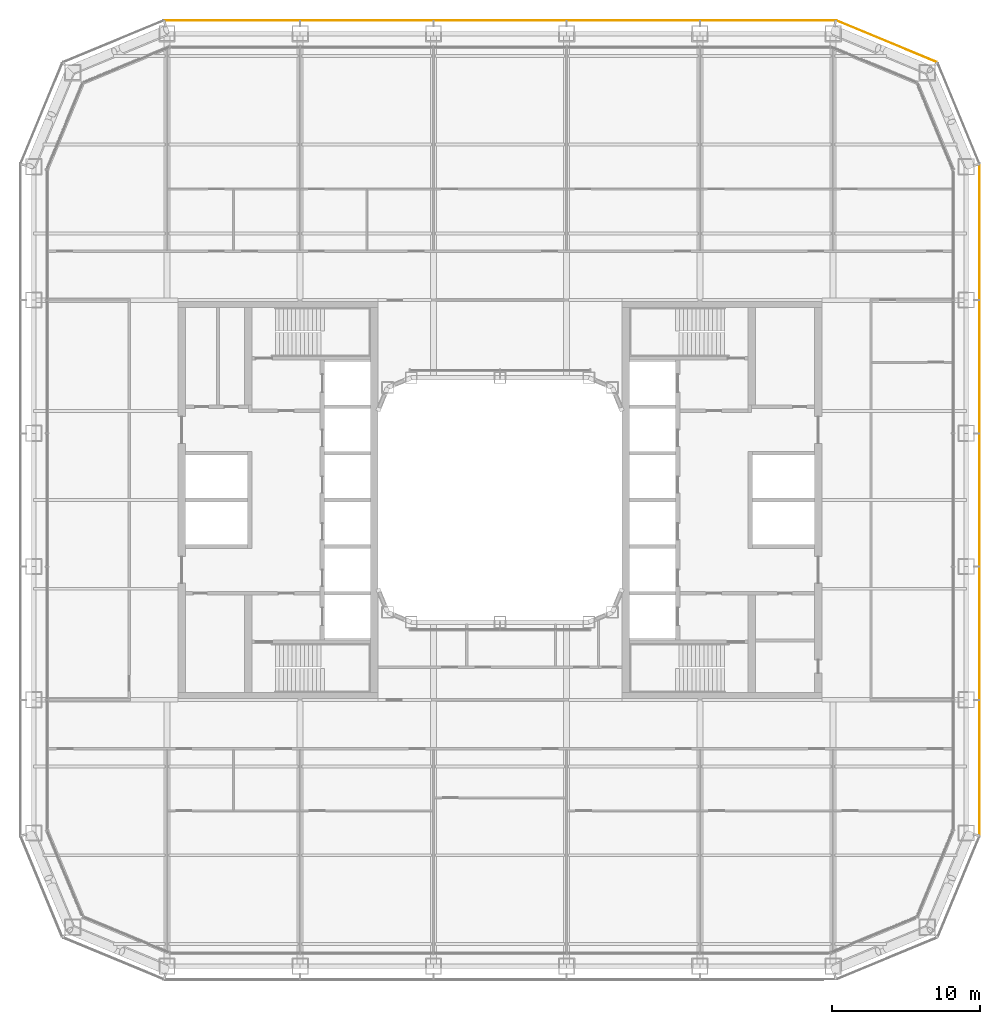
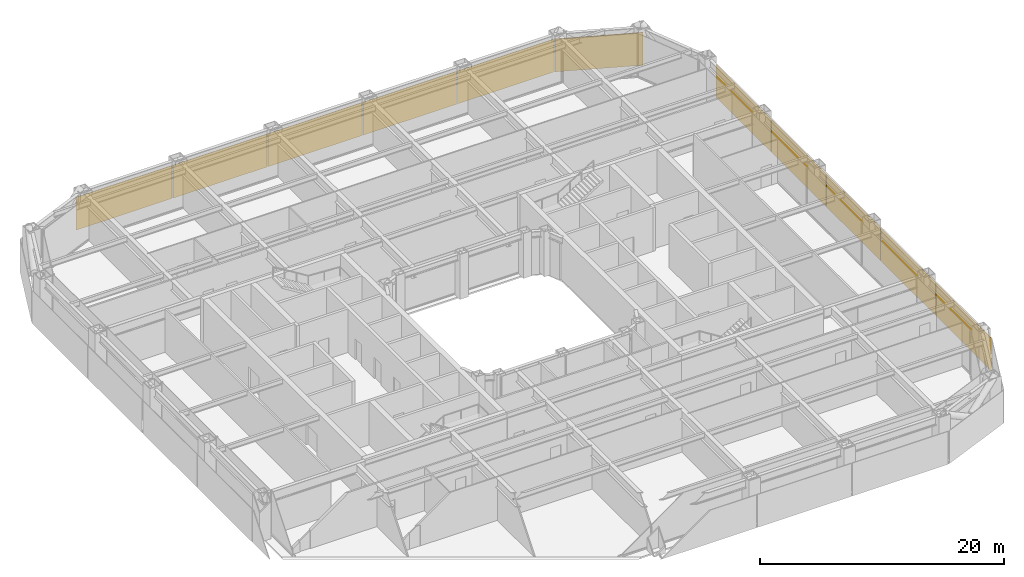
# One storey, part 24 of 24: 11 coverings.
"""IFC4 building model written with IfcOpenShell, lengths in metres."""

from ifc_helpers import new_model, si_unit, direction, frame, origin, origin_2d, place, context, subcontext, project, spatial, rectangle, extrude, material, layer, layer_set, type_object, element, save


model = new_model("IFC4")

# Units and contexts
model_context = context("Model", 3, precision=1e-05, world=origin(), true_north=direction((0.0, 1.0)))
body_context = subcontext(model_context, "Body", "Model", "MODEL_VIEW")
ifc_project = project(units=[si_unit("LENGTHUNIT", "METRE"), si_unit("AREAUNIT", "SQUARE_METRE"), si_unit("VOLUMEUNIT", "CUBIC_METRE"), si_unit("PLANEANGLEUNIT", "RADIAN"), si_unit("MASSUNIT", "GRAM", prefix="KILO")], contexts=[model_context])

# Site, building, storey
site_placement = place(None, origin())
site = spatial("IfcSite", under=ifc_project, at=site_placement, CompositionType="ELEMENT")
building_placement = place(site_placement, origin())
building = spatial("IfcBuilding", under=site, at=building_placement, Name="Siwar Civic Tower", CompositionType="ELEMENT")
storey_placement = place(building_placement, frame((0.0, 0.0, 40.199951171875)))
storey = spatial("IfcBuildingStorey", under=building, at=storey_placement, Name="L08", CompositionType="ELEMENT", Elevation=40.199951171875)

# Coverings
ifc_material = material(Name="Perforated aluminium cassette, pale metal", Category="aluminium")
ifc_layer = layer(ifc_material, 0.0400390625)
ifc_layer_set = layer_set([ifc_layer], Name="Perforated aluminium cassette, pale metal")
covering_type = type_object("IfcCoveringType", Name="ENV-OUTER SKIN OS-1", PredefinedType="CLADDING", material=ifc_layer_set)
covering_1_placement = place(storey_placement, frame((32.39990234375, -18.07958984375, -0.14990234375), z_axis=(0.0, 0.0, 1.0), x_axis=(0.0, 1.0, 0.0)))
element("IfcCovering", 1, at=covering_1_placement, inside=storey, type_object=covering_type, Name="OUTER SKIN OS-1 E 1", PredefinedType="CLADDING", context=body_context, shape_type="SweptSolid", body=[
    extrude(rectangle(XDim=9.05908203125, YDim=0.0400390625, at=origin_2d()), origin(), (0.0, 0.0, 1.0), 3.300048828125),
])
for number, where, z_axis, x_axis, name in (
    (2, (32.39990234375, -9.0, -0.14990234375), (0.0, 0.0, 1.0), (0.0, 1.0, 0.0), "OUTER SKIN OS-1 E 2"),
    (3, (32.39990234375, 0.0, -0.14990234375), (0.0, 0.0, 1.0), (0.0, 1.0, 0.0), "OUTER SKIN OS-1 E 3"),
    (4, (32.39990234375, 9.0, -0.14990234375), (0.0, 0.0, 1.0), (0.0, 1.0, 0.0), "OUTER SKIN OS-1 E 4"),
):
    element("IfcCovering", number, at=place(storey_placement, frame(where, z_axis=z_axis, x_axis=x_axis)), inside=storey, type_object=covering_type, Name=name, PredefinedType="CLADDING", context=body_context, shape_type="SweptSolid", body=[
        extrude(rectangle(XDim=8.89990234375, YDim=0.0400390625, at=origin_2d()), origin(), (0.0, 0.0, 1.0), 3.300048828125),
    ])
covering_2_placement = place(storey_placement, frame((32.39990234375, 18.07958984375, -0.14990234375), z_axis=(0.0, 0.0, 1.0), x_axis=(0.0, 1.0, 0.0)))
element("IfcCovering", 5, at=covering_2_placement, inside=storey, type_object=covering_type, Name="OUTER SKIN OS-1 E 5", PredefinedType="CLADDING", context=body_context, shape_type="SweptSolid", body=[
    extrude(rectangle(XDim=9.05908203125, YDim=0.0400390625, at=origin_2d()), origin(), (0.0, 0.0, 1.0), 3.300048828125),
])
covering_3_placement = place(storey_placement, frame((26.115966796875, 30.976318359375, -0.14990234375), z_axis=(0.0, 0.0, 1.0), x_axis=(-0.923879532511, 0.382683432365, 0.0)))
element("IfcCovering", 6, at=covering_3_placement, inside=storey, type_object=covering_type, Name="OUTER SKIN OS-1 NE2 1", PredefinedType="CLADDING", context=body_context, shape_type="SweptSolid", body=[
    extrude(rectangle(XDim=7.300048828125, YDim=0.0400390625, at=origin_2d()), origin(), (0.0, 0.0, 1.0), 3.300048828125),
])
covering_4_placement = place(storey_placement, frame((18.07958984375, 32.39990234375, -0.14990234375), z_axis=(0.0, 0.0, 1.0), x_axis=(-1.0, 0.0, 0.0)))
element("IfcCovering", 7, at=covering_4_placement, inside=storey, type_object=covering_type, Name="OUTER SKIN OS-1 N 1", PredefinedType="CLADDING", context=body_context, shape_type="SweptSolid", body=[
    extrude(rectangle(XDim=9.05908203125, YDim=0.0400390625, at=origin_2d()), origin(), (0.0, 0.0, 1.0), 3.300048828125),
])
for number, where, z_axis, x_axis, name in (
    (8, (9.0, 32.39990234375, -0.14990234375), (0.0, 0.0, 1.0), (-1.0, 0.0, 0.0), "OUTER SKIN OS-1 N 2"),
    (9, (0.0, 32.39990234375, -0.14990234375), (0.0, 0.0, 1.0), (-1.0, 0.0, 0.0), "OUTER SKIN OS-1 N 3"),
    (10, (-9.0, 32.39990234375, -0.14990234375), (0.0, 0.0, 1.0), (-1.0, 0.0, 0.0), "OUTER SKIN OS-1 N 4"),
):
    element("IfcCovering", number, at=place(storey_placement, frame(where, z_axis=z_axis, x_axis=x_axis)), inside=storey, type_object=covering_type, Name=name, PredefinedType="CLADDING", context=body_context, shape_type="SweptSolid", body=[
        extrude(rectangle(XDim=8.89990234375, YDim=0.0400390625, at=origin_2d()), origin(), (0.0, 0.0, 1.0), 3.300048828125),
    ])
covering_5_placement = place(storey_placement, frame((-18.07958984375, 32.39990234375, -0.14990234375), z_axis=(0.0, 0.0, 1.0), x_axis=(-1.0, 0.0, 0.0)))
element("IfcCovering", 11, at=covering_5_placement, inside=storey, type_object=covering_type, Name="OUTER SKIN OS-1 N 5", PredefinedType="CLADDING", context=body_context, shape_type="SweptSolid", body=[
    extrude(rectangle(XDim=9.05908203125, YDim=0.0400390625, at=origin_2d()), origin(), (0.0, 0.0, 1.0), 3.300048828125),
])

save(model, "model.ifc")
